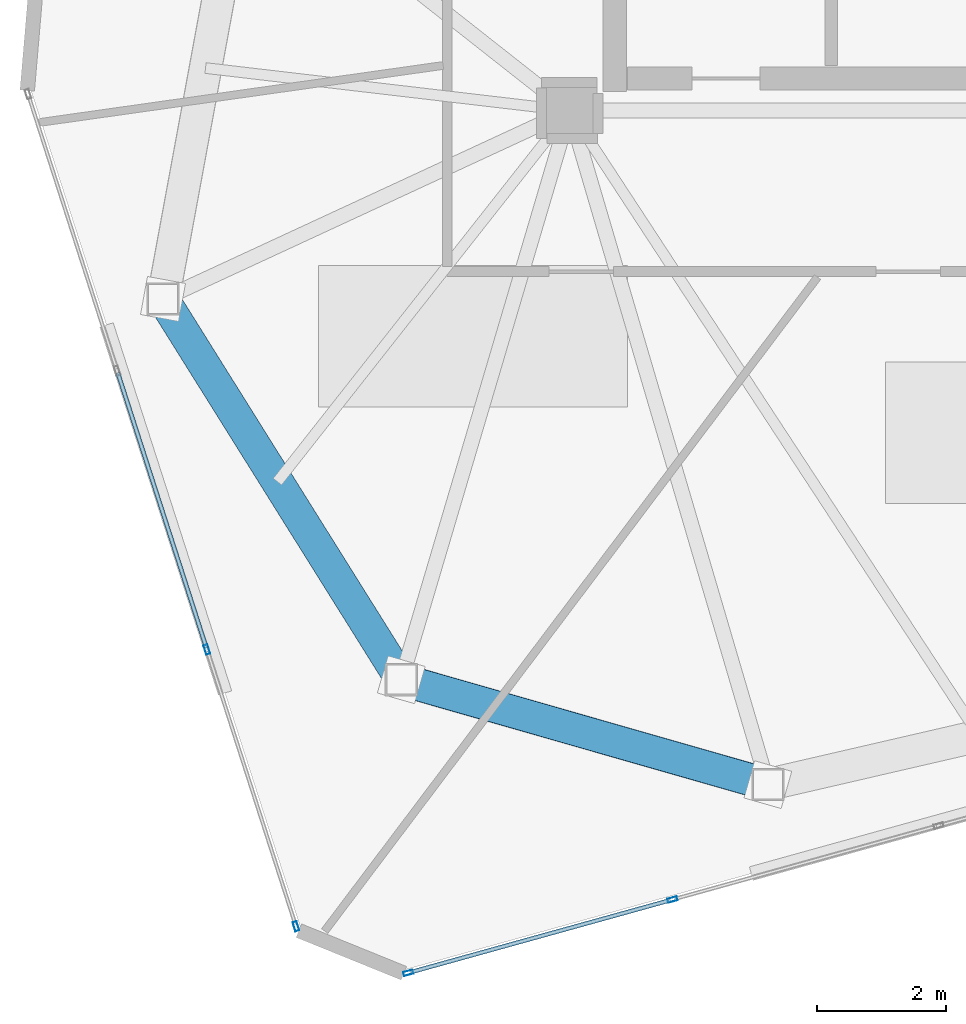
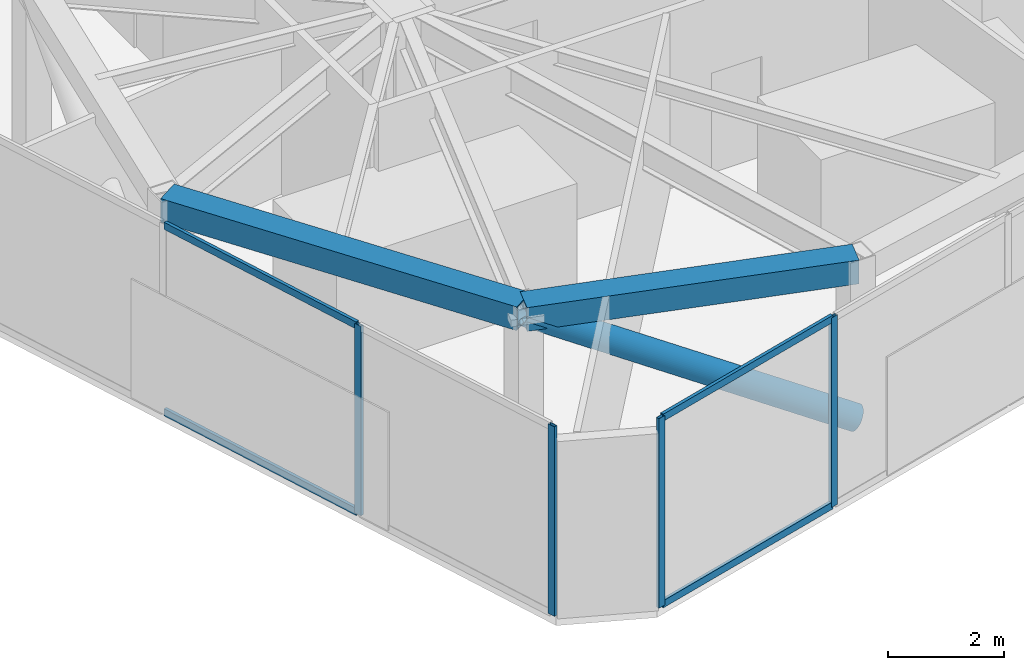
# One storey, part 2 of 19: 9 members, 2 beams, 2 elements without a shape of their own.
"""IFC4 building model written with IfcOpenShell, lengths in metres."""

from ifc_helpers import new_model, si_unit, direction, frame, origin, origin_2d, place, context, subcontext, project, spatial, hollow_rectangle, hollow_circle, extrude, source, transform, mapped, material, layer, layer_set, material_profile, profile_set, type_object, type_shapes, element, aggregate, save


model = new_model("IFC4")

# Units and contexts
model_context = context("Model", 3, precision=1e-05, world=origin(), true_north=direction((0.0, 1.0)))
body_context = subcontext(model_context, "Body", "Model", "MODEL_VIEW")
ifc_project = project(units=[si_unit("LENGTHUNIT", "METRE"), si_unit("AREAUNIT", "SQUARE_METRE"), si_unit("VOLUMEUNIT", "CUBIC_METRE"), si_unit("PLANEANGLEUNIT", "RADIAN"), si_unit("MASSUNIT", "GRAM", prefix="KILO")], contexts=[model_context])

# Site, building, storey
site_placement = place(None, origin())
site = spatial("IfcSite", under=ifc_project, at=site_placement, CompositionType="ELEMENT")
building_placement = place(site_placement, origin())
building = spatial("IfcBuilding", under=site, at=building_placement, Name="Talar Marvaseh", CompositionType="ELEMENT")
storey_placement = place(building_placement, frame((0.0, 0.0, 296.0)))
storey = spatial("IfcBuildingStorey", under=building, at=storey_placement, Name="L79", CompositionType="ELEMENT", Elevation=296.0)

# Beams
ifc_material_1 = material(Name="Steel S460", Category="steel")
ifc_material_profile_1 = material_profile(ifc_material_1, hollow_rectangle(XDim=0.5, YDim=0.5, WallThickness=0.02490234375, at=origin_2d()), Name="BOX500x500x25")
ifc_profile_set_1 = profile_set([ifc_material_profile_1], Name="Steel S460")
beam_type = type_object("IfcBeamType", Name="Crown Frame Top Ring Beam BOX500x500x25", PredefinedType="BEAM", material=ifc_profile_set_1)
beam_1_placement = place(storey_placement, frame((21.77587890625, 15.0400390625, 3.489990234375), z_axis=(-0.961411768303, 0.275113452538, 0.0), x_axis=(-0.275113452538, -0.961411768303, 0.0)))
element("IfcBeam", 1, at=beam_1_placement, inside=storey, type_object=beam_type, Name="L79 Crown Frame Top Ring Beam BOX500x500x25", PredefinedType="BEAM", context=body_context, shape_type="SweptSolid", body=[
    extrude(hollow_rectangle(XDim=0.5, YDim=0.5, WallThickness=0.02490234375, at=origin_2d()), origin(), (0.0, 0.0, 1.0), 5.917236328125),
])
beam_2_placement = place(storey_placement, frame((16.0869140625, 16.66796875, 3.489990234375), z_axis=(-0.530505706813, 0.847681364098, 0.0), x_axis=(-0.847681364098, -0.530505706813, 0.0)))
element("IfcBeam", 2, at=beam_2_placement, inside=storey, type_object=beam_type, Name="L79 Crown Frame Top Ring Beam BOX500x500x25", PredefinedType="BEAM", context=body_context, shape_type="SweptSolid", body=[
    extrude(hollow_rectangle(XDim=0.5, YDim=0.5, WallThickness=0.02490234375, at=origin_2d()), origin(), (0.0, 0.0, 1.0), 6.970703125),
])

# Member
ifc_material_profile_2 = material_profile(ifc_material_1, hollow_circle(Radius=0.25390625, WallThickness=0.02001953125, at=origin_2d()), Name="CHS508x20")
ifc_profile_set_2 = profile_set([ifc_material_profile_2], Name="Steel S460")
member_type_1 = type_object("IfcMemberType", Name="Crown Frame Diagonal Brace CHS508x20", PredefinedType="BRACE", material=ifc_profile_set_2)
shared_shape_1 = source(origin(), body_context, "Body", "SweptSolid", [
    extrude(hollow_circle(Radius=0.25390625, WallThickness=0.02001953125, at=origin_2d()), origin(), (0.0, 0.0, 1.0), 6.746337890625),
])
type_shapes(member_type_1, [shared_shape_1])
member_1_placement = place(storey_placement, frame((21.77587890625, 15.0400390625, 0.25), z_axis=(-0.843276948152, 0.241308500999, 0.480264714571), x_axis=(-0.275113452538, -0.961411768303, 0.0)))
element("IfcMember", 3, at=member_1_placement, inside=storey, type_object=member_type_1, Name="L79 Crown Frame Diagonal Brace 11", PredefinedType="BRACE", context=body_context, shape_type="MappedRepresentation", body=[
    mapped(shared_shape_1, transform((0.0, 0.0, 0.0), x_axis=(1.0, 0.0, 0.0), y_axis=(0.0, 1.0, 0.0), z_axis=(0.0, 0.0, 1.0), scale=1.0)),
])

# Curtain wall, members
ifc_material_2 = material(Name="Architectural Aluminium", Category="aluminium")
ifc_layer = layer(ifc_material_2, 0.2099609375)
ifc_layer_set = layer_set([ifc_layer], Name="Architectural Aluminium")
curtain_wall_type = type_object("IfcCurtainWallType", Name="Crown Plant Acoustic Spandrel Curtain Wall", PredefinedType="NOTDEFINED", material=ifc_layer_set)
curtain_wall_1_placement = place(storey_placement, origin())
curtain_wall_1 = element("IfcCurtainWall", 4, at=curtain_wall_1_placement, inside=storey, type_object=curtain_wall_type, Name="L79 Crown Plant Acoustic Spandrel Curtain Wall", PredefinedType="NOTDEFINED")
ifc_material_profile_3 = material_profile(ifc_material_2, hollow_rectangle(XDim=0.06494140625, YDim=0.14990234375, WallThickness=0.00390625, at=origin_2d()), Name="RHS150x65x4")
ifc_profile_set_3 = profile_set([ifc_material_profile_3], Name="Architectural Aluminium")
member_type_2 = type_object("IfcMemberType", Name="Unitised Curtain Wall Slim Transom RHS150x65x4", PredefinedType="USERDEFINED", material=ifc_profile_set_3)
shared_shape_2 = source(origin(), body_context, "Body", "SweptSolid", [
    extrude(hollow_rectangle(XDim=0.06494140625, YDim=0.14990234375, WallThickness=0.00390625, at=origin_2d()), origin(), (0.0, 0.0, 1.0), 4.47998046875),
])
member_2_placement = place(storey_placement, frame((13.06005859375, 17.16748046875, 0.032470703125), z_axis=(-0.306483664261, 0.951875918143, 0.0), x_axis=(-0.951875918143, -0.306483664261, 0.0)))
member_2 = element("IfcMember", 5, at=member_2_placement, type_object=member_type_2, Name="CW-CRN transom 2.1", ObjectType="TRANSOM", PredefinedType="USERDEFINED", context=body_context, shape_type="MappedRepresentation", body=[
    mapped(shared_shape_2, transform((0.0, 0.0, 0.0), x_axis=(1.0, 0.0, 0.0), y_axis=(0.0, 1.0, 0.0), z_axis=(0.0, 0.0, 1.0), scale=1.0)),
])
member_3_placement = place(storey_placement, frame((13.06005859375, 17.16748046875, 3.967529296875), z_axis=(-0.306483664261, 0.951875918143, 0.0), x_axis=(-0.951875918143, -0.306483664261, 0.0)))
member_3 = element("IfcMember", 6, at=member_3_placement, type_object=member_type_2, Name="CW-CRN transom 2.2", ObjectType="TRANSOM", PredefinedType="USERDEFINED", context=body_context, shape_type="MappedRepresentation", body=[
    mapped(shared_shape_2, transform((0.0, 0.0, 0.0), x_axis=(1.0, 0.0, 0.0), y_axis=(0.0, 1.0, 0.0), z_axis=(0.0, 0.0, 1.0), scale=1.0)),
])

curtain_wall_2_placement = place(storey_placement, origin())
curtain_wall_2 = element("IfcCurtainWall", 7, at=curtain_wall_2_placement, inside=storey, type_object=curtain_wall_type, Name="L79 Crown Plant Acoustic Spandrel Curtain Wall", PredefinedType="NOTDEFINED")
shared_shape_3 = source(origin(), body_context, "Body", "SweptSolid", [
    extrude(hollow_rectangle(XDim=0.06494140625, YDim=0.14990234375, WallThickness=0.00390625, at=origin_2d()), origin(), (0.0, 0.0, 1.0), 4.188720703125),
])
type_shapes(member_type_2, [shared_shape_2, shared_shape_3])
member_4_placement = place(storey_placement, frame((20.263916015625, 13.24755859375, 0.032470703125), z_axis=(-0.963596363227, -0.26736127015, 0.0), x_axis=(0.26736127015, -0.963596363227, 0.0)))
member_4 = element("IfcMember", 8, at=member_4_placement, type_object=member_type_2, Name="CW-CRN transom 4.1", ObjectType="TRANSOM", PredefinedType="USERDEFINED", context=body_context, shape_type="MappedRepresentation", body=[
    mapped(shared_shape_3, transform((0.0, 0.0, 0.0), x_axis=(1.0, 0.0, 0.0), y_axis=(0.0, 1.0, 0.0), z_axis=(0.0, 0.0, 1.0), scale=1.0)),
])
member_5_placement = place(storey_placement, frame((20.263916015625, 13.24755859375, 3.967529296875), z_axis=(-0.963596363227, -0.26736127015, 0.0), x_axis=(0.26736127015, -0.963596363227, 0.0)))
member_5 = element("IfcMember", 9, at=member_5_placement, type_object=member_type_2, Name="CW-CRN transom 4.2", ObjectType="TRANSOM", PredefinedType="USERDEFINED", context=body_context, shape_type="MappedRepresentation", body=[
    mapped(shared_shape_3, transform((0.0, 0.0, 0.0), x_axis=(1.0, 0.0, 0.0), y_axis=(0.0, 1.0, 0.0), z_axis=(0.0, 0.0, 1.0), scale=1.0)),
])

# Member
ifc_material_profile_4 = material_profile(ifc_material_2, hollow_rectangle(XDim=0.06494140625, YDim=0.14990234375, WallThickness=0.00390625, at=origin_2d()), Name="RHS150x65x4")
ifc_profile_set_4 = profile_set([ifc_material_profile_4], Name="Architectural Aluminium")
member_type_3 = type_object("IfcMemberType", Name="Unitised Curtain Wall Slim Mullion RHS150x65x4", PredefinedType="MULLION", material=ifc_profile_set_4)
shared_shape_4 = source(origin(), body_context, "Body", "SweptSolid", [
    extrude(hollow_rectangle(XDim=0.06494140625, YDim=0.14990234375, WallThickness=0.00390625, at=origin_2d()), origin(), (0.0, 0.0, 1.0), 4.0),
])
type_shapes(member_type_3, [shared_shape_4])
member_6_placement = place(storey_placement, frame((14.452880859375, 12.84130859375, 0.0), z_axis=(0.0, 0.0, 1.0), x_axis=(-0.951880867129, -0.306468293294, 0.0)))
member_6 = element("IfcMember", 10, at=member_6_placement, type_object=member_type_3, Name="CW-CRN mullion 1", PredefinedType="MULLION", context=body_context, shape_type="MappedRepresentation", body=[
    mapped(shared_shape_4, transform((0.0, 0.0, 0.0), x_axis=(1.0, 0.0, 0.0), y_axis=(0.0, 1.0, 0.0), z_axis=(0.0, 0.0, 1.0), scale=1.0)),
])

member_7_placement = place(storey_placement, frame((13.070068359375, 17.136474609375, 0.0), z_axis=(0.0, 0.0, 1.0), x_axis=(-0.951880867129, -0.306468293294, 0.0)))
member_7 = element("IfcMember", 11, at=member_7_placement, type_object=member_type_3, Name="CW-CRN mullion 2", PredefinedType="MULLION", context=body_context, shape_type="MappedRepresentation", body=[
    mapped(shared_shape_4, transform((0.0, 0.0, 0.0), x_axis=(1.0, 0.0, 0.0), y_axis=(0.0, 1.0, 0.0), z_axis=(0.0, 0.0, 1.0), scale=1.0)),
])

aggregate(curtain_wall_1, [member_6, member_7, member_2, member_3])

member_8_placement = place(storey_placement, frame((20.295166015625, 13.25634765625, 0.0), z_axis=(0.0, 0.0, 1.0), x_axis=(0.267390261237, -0.963588318835, 0.0)))
member_8 = element("IfcMember", 12, at=member_8_placement, type_object=member_type_3, Name="CW-CRN mullion 4", PredefinedType="MULLION", context=body_context, shape_type="MappedRepresentation", body=[
    mapped(shared_shape_4, transform((0.0, 0.0, 0.0), x_axis=(1.0, 0.0, 0.0), y_axis=(0.0, 1.0, 0.0), z_axis=(0.0, 0.0, 1.0), scale=1.0)),
])

member_9_placement = place(storey_placement, frame((16.196533203125, 12.118896484375, 0.0), z_axis=(0.0, 0.0, 1.0), x_axis=(0.267390261237, -0.963588318835, 0.0)))
member_9 = element("IfcMember", 13, at=member_9_placement, type_object=member_type_3, Name="CW-CRN mullion 5", PredefinedType="MULLION", context=body_context, shape_type="MappedRepresentation", body=[
    mapped(shared_shape_4, transform((0.0, 0.0, 0.0), x_axis=(1.0, 0.0, 0.0), y_axis=(0.0, 1.0, 0.0), z_axis=(0.0, 0.0, 1.0), scale=1.0)),
])

aggregate(curtain_wall_2, [member_8, member_9, member_4, member_5])

save(model, "model.ifc")
